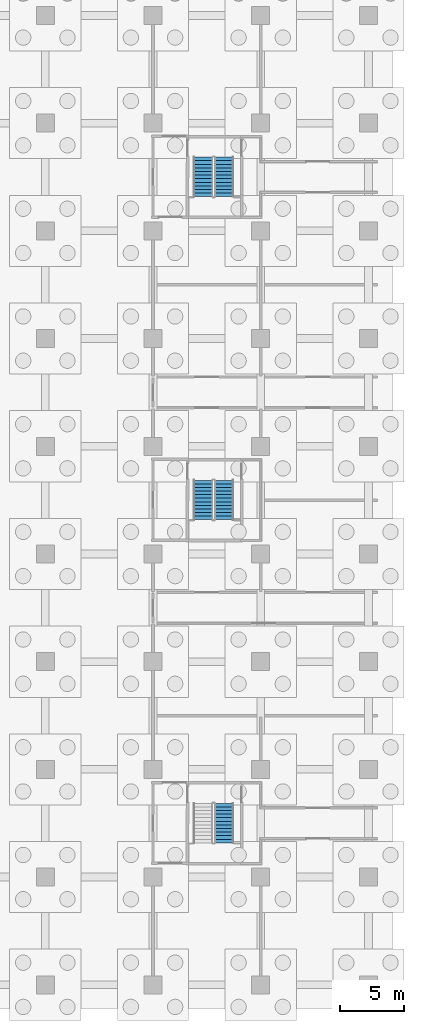
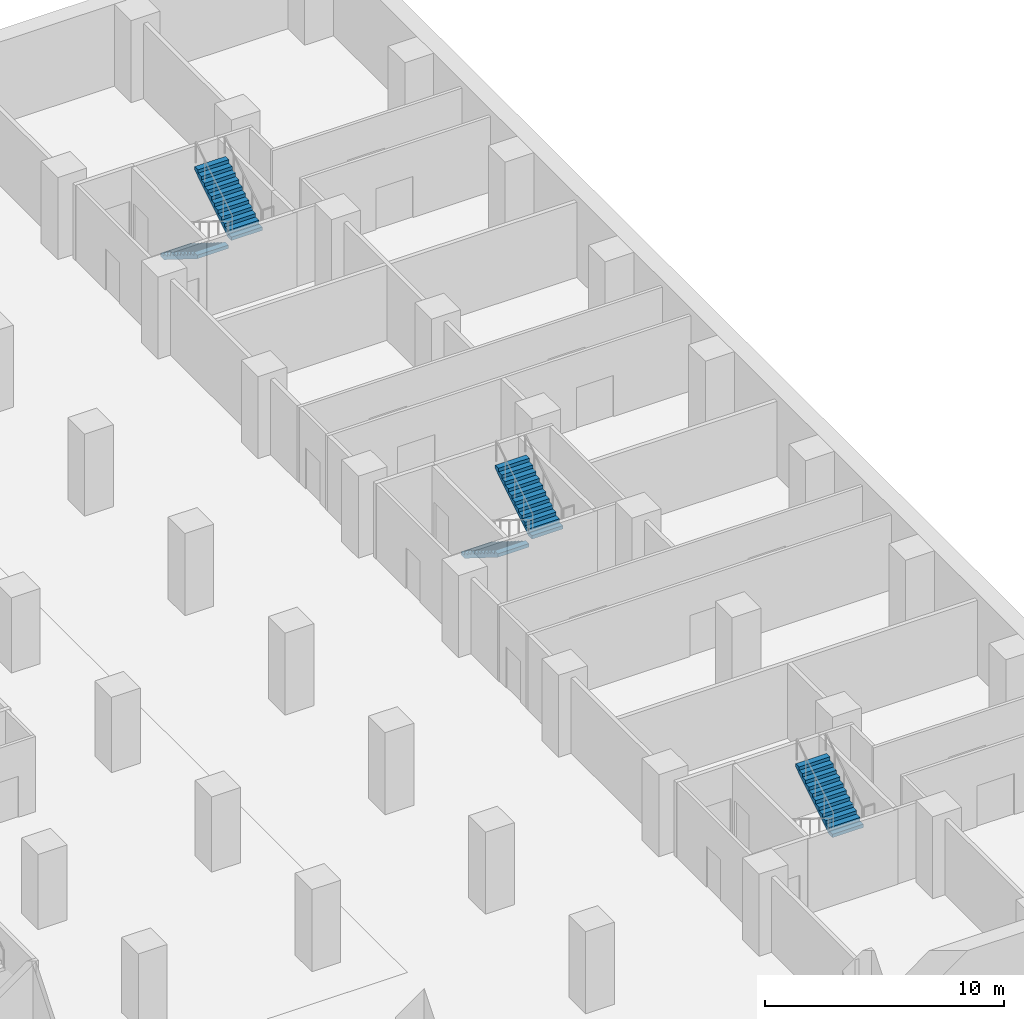
# One storey, part 16 of 22: 5 stair flights, 3 elements without a shape of their own.
"""IFC4 building model written with IfcOpenShell, lengths in metres."""

import ifcopenshell
import ifcopenshell.guid

model = None  # the IFC model being written
_history = None  # IfcOwnerHistory: only IFC2X3 demands one
_inside = {}  # id of a spatial element -> (the spatial element, [elements in it])
_under = {}  # id of a project, library or spatial element -> (it, [spatial elements below it])
_declared = {}  # id of a project -> (the project, [libraries it declares])
_typed = {}  # id of a type object -> (the type object, [elements of that type])
_made_of = {}  # id of a material, layer set ... -> (it, [elements and type objects made of it])


def new_model(schema):
    """Start an empty IFC model of exactly this schema.

    Asked for "IFC4X3", IfcOpenShell would pick the latest addendum, in which some entities
    have other attributes; the version numbers below select the first issue.
    IFC2X3 requires an IfcOwnerHistory on every rooted entity: one is made here for all.
    """
    global model, _history
    if schema == "IFC4X3":
        model = ifcopenshell.file(schema_version=(4, 3, 0, 0))
    else:
        model = ifcopenshell.file(schema=schema)
    _inside.clear()
    _under.clear()
    _declared.clear()
    _typed.clear()
    _made_of.clear()
    _history = None
    if model.schema == "IFC2X3":
        org = make("IfcOrganization", Name="unknown")
        user = make(
            "IfcPersonAndOrganization",
            ThePerson=make("IfcPerson", FamilyName="unknown"),
            TheOrganization=org,
        )
        app = make(
            "IfcApplication",
            ApplicationDeveloper=org,
            Version="unknown",
            ApplicationFullName="unknown",
            ApplicationIdentifier="unknown",
        )
        _history = make(
            "IfcOwnerHistory",
            OwningUser=user,
            OwningApplication=app,
            ChangeAction="ADDED",
            CreationDate=0,
        )
    return model


def make(cls, **values):
    """One entity of the class cls with the attributes given. An attribute that is None is left unset."""
    return model.create_entity(
        cls, **{name: value for name, value in values.items() if value is not None}
    )


def rooted(cls, **values):
    """An entity with a GlobalId (a new one), such as an element, a storey or a relation."""
    return make(cls, GlobalId=ifcopenshell.guid.new(), OwnerHistory=_history, **values)


def si_unit(unit_type, name, prefix=None):
    """IfcSIUnit, for example si_unit("LENGTHUNIT", "METRE", prefix="MILLI")."""
    return make("IfcSIUnit", UnitType=unit_type, Prefix=prefix, Name=name)


def assignment(units):
    """IfcUnitAssignment: the units of a project."""
    return None if units is None else make("IfcUnitAssignment", Units=units)


def point(xyz):
    """IfcCartesianPoint."""
    return None if xyz is None else make("IfcCartesianPoint", Coordinates=xyz)


def direction(xyz):
    """IfcDirection."""
    return None if xyz is None else make("IfcDirection", DirectionRatios=xyz)


def frame(location, z_axis=None, x_axis=None):
    """IfcAxis2Placement3D, a coordinate frame: its origin and axes. An axis left out is left unset."""
    return make(
        "IfcAxis2Placement3D",
        Location=point(location),
        Axis=direction(z_axis),
        RefDirection=direction(x_axis),
    )


def origin():
    """The frame at (0, 0, 0) with its axes left unset."""
    return frame((0.0, 0.0, 0.0))


def place(relative_to, where):
    """IfcLocalPlacement: puts the frame where relative to a parent placement (None: the world)."""
    return make(
        "IfcLocalPlacement", PlacementRelTo=relative_to, RelativePlacement=where
    )


def context(
    kind, dimensions, precision=None, world=None, true_north=None, identifier=None
):
    """IfcGeometricRepresentationContext, for example the 3D "Model" context."""
    return make(
        "IfcGeometricRepresentationContext",
        ContextIdentifier=identifier,
        ContextType=kind,
        CoordinateSpaceDimension=dimensions,
        Precision=precision,
        WorldCoordinateSystem=world,
        TrueNorth=true_north,
    )


def subcontext(parent, identifier, kind, view, scale=None):
    """IfcGeometricRepresentationSubContext, for example "Body" below "Model"."""
    return make(
        "IfcGeometricRepresentationSubContext",
        ContextIdentifier=identifier,
        ContextType=kind,
        ParentContext=parent,
        TargetScale=scale,
        TargetView=view,
    )


def project(units=None, contexts=None):
    """IfcProject with its units and contexts."""
    return rooted(
        "IfcProject",
        Name="project",
        RepresentationContexts=contexts,
        UnitsInContext=assignment(units),
    )


def spatial(cls, under=None, at=None, **own):
    """A site, building, storey or space (cls), placed at a placement, below another one or the project."""
    s = rooted(cls, ObjectPlacement=at, **own)
    if under is not None:
        _under.setdefault(under.id(), (under, []))[1].append(s)
    return s


def polyline(points):
    """IfcPolyline through the points."""
    return make("IfcPolyline", Points=[point(p) for p in points])


def outline(outer, holes=None, kind="AREA"):
    """IfcArbitraryClosedProfileDef: a profile drawn as a closed curve; with holes, ...WithVoids."""
    if holes is None:
        return make("IfcArbitraryClosedProfileDef", ProfileType=kind, OuterCurve=outer)
    return make(
        "IfcArbitraryProfileDefWithVoids",
        ProfileType=kind,
        OuterCurve=outer,
        InnerCurves=holes,
    )


def extrude(swept, where, along, depth):
    """IfcExtrudedAreaSolid: the profile swept, set in the frame where, extruded along a direction by depth."""
    return make(
        "IfcExtrudedAreaSolid",
        SweptArea=swept,
        Position=where,
        ExtrudedDirection=direction(along),
        Depth=depth,
    )


def shape(context_of_items, identifier, shape_type, items):
    """IfcShapeRepresentation: the items that make up one representation, for example the "Body"."""
    return make(
        "IfcShapeRepresentation",
        ContextOfItems=context_of_items,
        RepresentationIdentifier=identifier,
        RepresentationType=shape_type,
        Items=items,
    )


def material(Name=None, Category=None):
    """IfcMaterial."""
    return make("IfcMaterial", Name=Name, Category=Category)


def made_of(thing, what):
    """Note that an element or type object is made of a material, layer set ...; save() writes the relation."""
    if what is not None:
        _made_of.setdefault(what.id(), (what, []))[1].append(thing)
    return thing


def type_object(cls, material=None, **own):
    """A type object (cls), such as IfcWallType, which elements share."""
    return made_of(rooted(cls, **own), material)


def element(
    cls,
    number,
    at=None,
    inside=None,
    cuts=None,
    type_object=None,
    material=None,
    context=None,
    identifier="Body",
    shape_type=None,
    held_by="IfcProductDefinitionShape",
    body=None,
    shapes=None,
    **own,
):
    """One element of the class cls, such as IfcWall. Its Tag is "e" and its number.

    at: its placement. inside: the storey or other place that contains it. cuts: it is an
    opening in that element (IfcRelVoidsElement). A single representation is given by context,
    identifier, shape_type and body (its items); several are given by shapes. held_by: the class
    of the entity that holds the representations. save() writes the other relations.
    """
    e = rooted(cls, Tag="e%d" % number, ObjectPlacement=at, **own)
    if body is not None:
        shapes = [shape(context, identifier, shape_type, body)]
    if shapes is not None:
        e.Representation = make(held_by, Representations=shapes)
    if inside is not None:
        _inside.setdefault(inside.id(), (inside, []))[1].append(e)
    if cuts is not None:
        rooted(
            "IfcRelVoidsElement", RelatingBuildingElement=cuts, RelatedOpeningElement=e
        )
    if type_object is not None:
        _typed.setdefault(type_object.id(), (type_object, []))[1].append(e)
    return made_of(e, material)


def aggregate(whole, parts):
    """IfcRelAggregates: a whole, such as a stair, and the parts it consists of."""
    return rooted("IfcRelAggregates", RelatingObject=whole, RelatedObjects=parts)


def save(model, path):
    """Write the relations noted so far, then the file.

    IfcRelAggregates (storeys below a building ...), IfcRelContainedInSpatialStructure (elements
    in a storey), IfcRelDefinesByType, IfcRelAssociatesMaterial and IfcRelDeclares: one each for
    every whole, place, type object, material and project.
    """
    for whole, parts in _under.values():
        aggregate(whole, parts)
    for where, things in _inside.values():
        rooted(
            "IfcRelContainedInSpatialStructure",
            RelatedElements=things,
            RelatingStructure=where,
        )
    for kind, things in _typed.values():
        rooted("IfcRelDefinesByType", RelatedObjects=things, RelatingType=kind)
    for what, things in _made_of.values():
        rooted("IfcRelAssociatesMaterial", RelatedObjects=things, RelatingMaterial=what)
    for by, libraries in _declared.values():
        rooted("IfcRelDeclares", RelatingContext=by, RelatedDefinitions=libraries)
    model.write(path)


model = new_model("IFC4")

# Units and contexts
model_context = context("Model", 3, precision=1e-05, world=origin(), true_north=direction((0.0, 1.0)))
body_context = subcontext(model_context, "Body", "Model", "MODEL_VIEW")
ifc_project = project(units=[si_unit("LENGTHUNIT", "METRE"), si_unit("AREAUNIT", "SQUARE_METRE"), si_unit("VOLUMEUNIT", "CUBIC_METRE"), si_unit("PLANEANGLEUNIT", "RADIAN"), si_unit("MASSUNIT", "GRAM", prefix="KILO")], contexts=[model_context])

# Site, building, storey
site_placement = place(None, origin())
site = spatial("IfcSite", under=ifc_project, at=site_placement, CompositionType="ELEMENT")
building_placement = place(site_placement, origin())
building = spatial("IfcBuilding", under=site, at=building_placement, Name="Vermilion Ogive Tower", CompositionType="ELEMENT")
storey_placement = place(building_placement, frame((0.0, 0.0, -8.39990234375)))
storey = spatial("IfcBuildingStorey", under=building, at=storey_placement, Name="B2", CompositionType="ELEMENT", Elevation=-8.39990234375)

# Stair, stair flights
ifc_material_1 = material(Name="Concrete B40", Category="concrete")
stair_type = type_object("IfcStairType", Name="Exit stair 1500", PredefinedType="HALF_TURN_STAIR", material=ifc_material_1)
stair_1_placement = place(storey_placement, origin())
stair_1 = element("IfcStair", 1, at=stair_1_placement, inside=storey, type_object=stair_type, Name="B2 Exit Stair PEN", PredefinedType="HALF_TURN_STAIR")
ifc_material_2 = material(Name="Concrete B40", Category="concrete")
stair_flight_type = type_object("IfcStairFlightType", Name="Stair flight 1500", PredefinedType="STRAIGHT", material=ifc_material_2)
stair_flight_1_placement = place(storey_placement, frame((45.89990234375, 26.75, 0.0), z_axis=(0.0, 0.0, 1.0), x_axis=(0.0, -1.0, 0.0)))
stair_flight_1 = element("IfcStairFlight", 2, at=stair_flight_1_placement, type_object=stair_flight_type, Name="PEN flight 1", NumberOfRisers=12, NumberOfTreads=11, PredefinedType="STRAIGHT", RiserHeight=0.175, TreadLength=0.28, context=body_context, shape_type="SweptSolid", body=[
    extrude(outline(polyline([(0.0, 0.0), (0.0, 0.175048828125), (0.280029296875, 0.175048828125), (0.280029296875, 0.35009765625), (0.56005859375, 0.35009765625), (0.56005859375, 0.52490234375), (0.840087890625, 0.52490234375), (0.840087890625, 0.699951171875), (1.1201171875, 0.699951171875), (1.1201171875, 0.875), (1.39990234375, 0.875), (1.39990234375, 1.050048828125), (1.679931640625, 1.050048828125), (1.679931640625, 1.22509765625), (1.9599609375, 1.22509765625), (1.9599609375, 1.39990234375), (2.239990234375, 1.39990234375), (2.239990234375, 1.574951171875), (2.52001953125, 1.574951171875), (2.52001953125, 1.75), (2.800048828125, 1.75), (2.800048828125, 1.925048828125), (3.080078125, 1.925048828125), (3.080078125, 2.10009765625), (3.080078125, 1.748291015625), (0.28271484375, 0.0), (0.0, 0.0)])), frame((0.0, 0.75, 0.0), z_axis=(0.0, -1.0, 0.0), x_axis=(1.0, 0.0, 0.0)), (0.0, 0.0, 1.0), 1.5),
])
stair_flight_2_placement = place(storey_placement, frame((47.550048828125, 23.669921875, 2.099853515625), z_axis=(0.0, 0.0, 1.0), x_axis=(0.0, 1.0, 0.0)))
stair_flight_2 = element("IfcStairFlight", 3, at=stair_flight_2_placement, type_object=stair_flight_type, Name="PEN flight 2", NumberOfRisers=12, NumberOfTreads=11, PredefinedType="STRAIGHT", RiserHeight=0.175, TreadLength=0.28, context=body_context, shape_type="SweptSolid", body=[
    extrude(outline(polyline([(0.0, 0.0), (0.0, 0.175048828125), (0.280029296875, 0.175048828125), (0.280029296875, 0.35009765625), (0.56005859375, 0.35009765625), (0.56005859375, 0.52490234375), (0.840087890625, 0.52490234375), (0.840087890625, 0.699951171875), (1.1201171875, 0.699951171875), (1.1201171875, 0.875), (1.39990234375, 0.875), (1.39990234375, 1.050048828125), (1.679931640625, 1.050048828125), (1.679931640625, 1.22509765625), (1.9599609375, 1.22509765625), (1.9599609375, 1.39990234375), (2.239990234375, 1.39990234375), (2.239990234375, 1.574951171875), (2.52001953125, 1.574951171875), (2.52001953125, 1.75), (2.800048828125, 1.75), (2.800048828125, 1.925048828125), (3.080078125, 1.925048828125), (3.080078125, 2.10009765625), (3.080078125, 1.748291015625), (0.28271484375, 0.0), (0.0, 0.0)])), frame((0.0, 0.75, 0.0), z_axis=(0.0, -1.0, 0.0), x_axis=(1.0, 0.0, 0.0)), (0.0, 0.0, 1.0), 1.5),
])
aggregate(stair_1, [stair_flight_1, stair_flight_2])

stair_2_placement = place(storey_placement, origin())
stair_2 = element("IfcStair", 4, at=stair_2_placement, inside=storey, type_object=stair_type, Name="B2 Exit Stair PEC", PredefinedType="HALF_TURN_STAIR")
stair_flight_3_placement = place(storey_placement, frame((45.89990234375, 1.550048828125, 0.0), z_axis=(0.0, 0.0, 1.0), x_axis=(0.0, -1.0, 0.0)))
stair_flight_3 = element("IfcStairFlight", 5, at=stair_flight_3_placement, type_object=stair_flight_type, Name="PEC flight 1", NumberOfRisers=12, NumberOfTreads=11, PredefinedType="STRAIGHT", RiserHeight=0.175, TreadLength=0.28, context=body_context, shape_type="SweptSolid", body=[
    extrude(outline(polyline([(0.0, 0.0), (0.0, 0.175048828125), (0.280029296875, 0.175048828125), (0.280029296875, 0.35009765625), (0.56005859375, 0.35009765625), (0.56005859375, 0.52490234375), (0.840087890625, 0.52490234375), (0.840087890625, 0.699951171875), (1.1201171875, 0.699951171875), (1.1201171875, 0.875), (1.39990234375, 0.875), (1.39990234375, 1.050048828125), (1.679931640625, 1.050048828125), (1.679931640625, 1.22509765625), (1.9599609375, 1.22509765625), (1.9599609375, 1.39990234375), (2.239990234375, 1.39990234375), (2.239990234375, 1.574951171875), (2.52001953125, 1.574951171875), (2.52001953125, 1.75), (2.800048828125, 1.75), (2.800048828125, 1.925048828125), (3.080078125, 1.925048828125), (3.080078125, 2.10009765625), (3.080078125, 1.748291015625), (0.28271484375, 0.0), (0.0, 0.0)])), frame((0.0, 0.75, 0.0), z_axis=(0.0, -1.0, 0.0), x_axis=(1.0, 0.0, 0.0)), (0.0, 0.0, 1.0), 1.5),
])
stair_flight_4_placement = place(storey_placement, frame((47.550048828125, -1.530029296875, 2.099853515625), z_axis=(0.0, 0.0, 1.0), x_axis=(0.0, 1.0, 0.0)))
stair_flight_4 = element("IfcStairFlight", 6, at=stair_flight_4_placement, type_object=stair_flight_type, Name="PEC flight 2", NumberOfRisers=12, NumberOfTreads=11, PredefinedType="STRAIGHT", RiserHeight=0.175, TreadLength=0.28, context=body_context, shape_type="SweptSolid", body=[
    extrude(outline(polyline([(0.0, 0.0), (0.0, 0.175048828125), (0.280029296875, 0.175048828125), (0.280029296875, 0.35009765625), (0.56005859375, 0.35009765625), (0.56005859375, 0.52490234375), (0.840087890625, 0.52490234375), (0.840087890625, 0.699951171875), (1.1201171875, 0.699951171875), (1.1201171875, 0.875), (1.39990234375, 0.875), (1.39990234375, 1.050048828125), (1.679931640625, 1.050048828125), (1.679931640625, 1.22509765625), (1.9599609375, 1.22509765625), (1.9599609375, 1.39990234375), (2.239990234375, 1.39990234375), (2.239990234375, 1.574951171875), (2.52001953125, 1.574951171875), (2.52001953125, 1.75), (2.800048828125, 1.75), (2.800048828125, 1.925048828125), (3.080078125, 1.925048828125), (3.080078125, 2.10009765625), (3.080078125, 1.748291015625), (0.28271484375, 0.0), (0.0, 0.0)])), frame((0.0, 0.75, 0.0), z_axis=(0.0, -1.0, 0.0), x_axis=(1.0, 0.0, 0.0)), (0.0, 0.0, 1.0), 1.5),
])
aggregate(stair_2, [stair_flight_3, stair_flight_4])

# Stair, stair flight
stair_3_placement = place(storey_placement, origin())
stair_3 = element("IfcStair", 7, at=stair_3_placement, inside=storey, type_object=stair_type, Name="B2 Exit Stair PES", PredefinedType="HALF_TURN_STAIR")
stair_flight_5_placement = place(storey_placement, frame((47.550048828125, -26.72998046875, 2.099853515625), z_axis=(0.0, 0.0, 1.0), x_axis=(0.0, 1.0, 0.0)))
stair_flight_5 = element("IfcStairFlight", 8, at=stair_flight_5_placement, type_object=stair_flight_type, Name="PES flight 2", NumberOfRisers=12, NumberOfTreads=11, PredefinedType="STRAIGHT", RiserHeight=0.175, TreadLength=0.28, context=body_context, shape_type="SweptSolid", body=[
    extrude(outline(polyline([(0.0, 0.0), (0.0, 0.175048828125), (0.280029296875, 0.175048828125), (0.280029296875, 0.35009765625), (0.56005859375, 0.35009765625), (0.56005859375, 0.52490234375), (0.840087890625, 0.52490234375), (0.840087890625, 0.699951171875), (1.1201171875, 0.699951171875), (1.1201171875, 0.875), (1.39990234375, 0.875), (1.39990234375, 1.050048828125), (1.679931640625, 1.050048828125), (1.679931640625, 1.22509765625), (1.9599609375, 1.22509765625), (1.9599609375, 1.39990234375), (2.239990234375, 1.39990234375), (2.239990234375, 1.574951171875), (2.52001953125, 1.574951171875), (2.52001953125, 1.75), (2.800048828125, 1.75), (2.800048828125, 1.925048828125), (3.080078125, 1.925048828125), (3.080078125, 2.10009765625), (3.080078125, 1.748291015625), (0.28271484375, 0.0), (0.0, 0.0)])), frame((0.0, 0.75, 0.0), z_axis=(0.0, -1.0, 0.0), x_axis=(1.0, 0.0, 0.0)), (0.0, 0.0, 1.0), 1.5),
])
aggregate(stair_3, [stair_flight_5])

save(model, "model.ifc")
